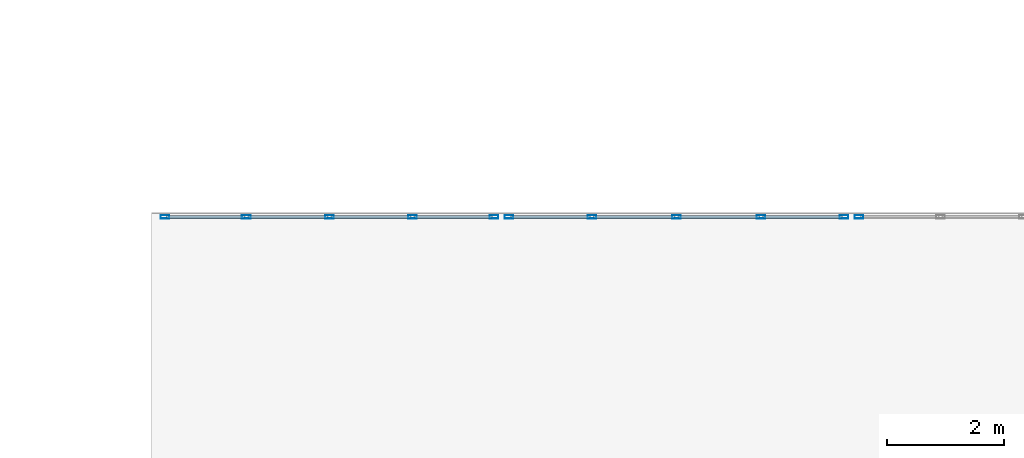
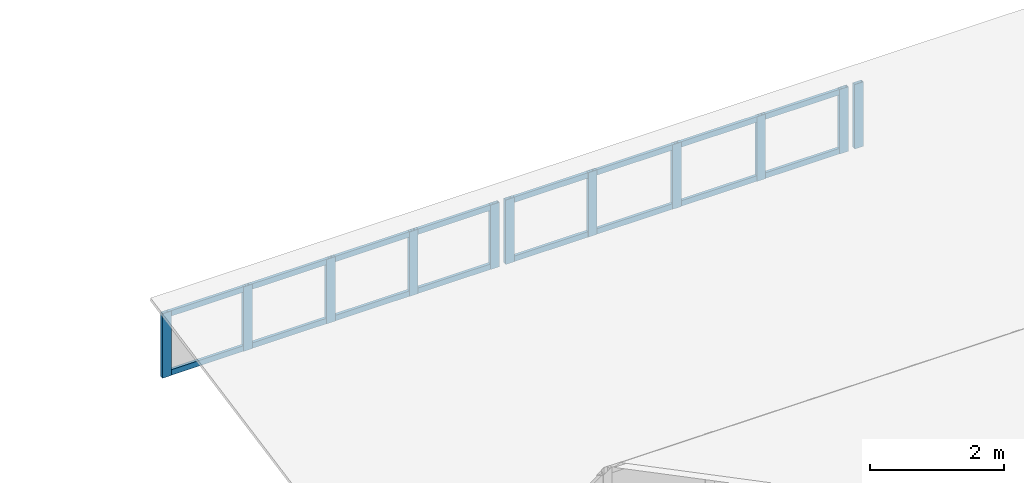
# One storey, part 44 of 101: 27 members, 3 elements without a shape of their own.
"""IFC4 building model written with IfcOpenShell, lengths in metres."""

from ifc_helpers import new_model, si_unit, direction, frame, origin, origin_2d, place, context, subcontext, project, spatial, hollow_rectangle, extrude, material, material_profile, profile_set, type_object, element, aggregate, save


model = new_model("IFC4")

# Units and contexts
model_context = context("Model", 3, precision=1e-05, world=origin(), true_north=direction((0.0, 1.0)))
body_context = subcontext(model_context, "Body", "Model", "MODEL_VIEW")
ifc_project = project(units=[si_unit("LENGTHUNIT", "METRE"), si_unit("AREAUNIT", "SQUARE_METRE"), si_unit("VOLUMEUNIT", "CUBIC_METRE"), si_unit("PLANEANGLEUNIT", "RADIAN"), si_unit("MASSUNIT", "GRAM", prefix="KILO")], contexts=[model_context])

# Site, building, storey
site_placement = place(None, origin())
site = spatial("IfcSite", under=ifc_project, at=site_placement, CompositionType="ELEMENT")
building_placement = place(site_placement, origin())
building = spatial("IfcBuilding", under=site, at=building_placement, Name="Laocheng Heights Fire and Rescue Headquarters", CompositionType="ELEMENT")
storey_placement = place(building_placement, frame((0.0, 0.0, 8.39990234375)))
storey = spatial("IfcBuildingStorey", under=building, at=storey_placement, Name="L02", CompositionType="ELEMENT", Elevation=8.39990234375)

# Curtain wall, members
ifc_material_1 = material(Name="Aluminium unitised curtain wall, low-e double glazing", Category="aluminium")
curtain_wall_type_1 = type_object("IfcCurtainWallType", Name="CW 5700 x 1173 WORKSHOP UNIT", PredefinedType="NOTDEFINED", material=ifc_material_1)
curtain_wall_1_placement = place(storey_placement, origin())
curtain_wall_1 = element("IfcCurtainWall", 1, at=curtain_wall_1_placement, inside=storey, type_object=curtain_wall_type_1, Name="Sawtooth glazing tooth 3", PredefinedType="NOTDEFINED")
ifc_material_2 = material(Name="Aluminium 6063-T5 extrusion", Category="aluminium")
ifc_material_profile_1 = material_profile(ifc_material_2, hollow_rectangle(XDim=0.06005859375, YDim=0.14990234375, WallThickness=0.0029296875, at=origin_2d()), Name="AL MULLION 150x60x3")
ifc_profile_set_1 = profile_set([ifc_material_profile_1], Name="Aluminium 6063-T5 extrusion")
member_type_1 = type_object("IfcMemberType", Name="AL CURTAIN WALL MULLION 150x60x3 SAWTOOTH", PredefinedType="MULLION", material=ifc_profile_set_1)
member_1_placement = place(storey_placement, frame((108.22998046875, 21.5400390625, 0.0), z_axis=(0.0, 0.0, 1.0), x_axis=(0.0, 1.0, 0.0)))
member_1 = element("IfcMember", 2, at=member_1_placement, type_object=member_type_1, Name="X2-O mullion 1", PredefinedType="MULLION", context=body_context, shape_type="SweptSolid", body=[
    extrude(hollow_rectangle(XDim=0.06005859375, YDim=0.14990234375, WallThickness=0.0029296875, at=origin_2d()), origin(), (0.0, 0.0, 1.0), 1.173095703125),
])
member_2_placement = place(storey_placement, frame((109.625, 21.5400390625, 0.0), z_axis=(0.0, 0.0, 1.0), x_axis=(0.0, 1.0, 0.0)))
member_2 = element("IfcMember", 3, at=member_2_placement, type_object=member_type_1, Name="X2-O mullion 2", PredefinedType="MULLION", context=body_context, shape_type="SweptSolid", body=[
    extrude(hollow_rectangle(XDim=0.06005859375, YDim=0.14990234375, WallThickness=0.0029296875, at=origin_2d()), origin(), (0.0, 0.0, 1.0), 1.173095703125),
])
member_3_placement = place(storey_placement, frame((111.050048828125, 21.5400390625, 0.0), z_axis=(0.0, 0.0, 1.0), x_axis=(0.0, 1.0, 0.0)))
member_3 = element("IfcMember", 4, at=member_3_placement, type_object=member_type_1, Name="X2-O mullion 3", PredefinedType="MULLION", context=body_context, shape_type="SweptSolid", body=[
    extrude(hollow_rectangle(XDim=0.06005859375, YDim=0.14990234375, WallThickness=0.0029296875, at=origin_2d()), origin(), (0.0, 0.0, 1.0), 1.173095703125),
])
member_4_placement = place(storey_placement, frame((112.47509765625, 21.5400390625, 0.0), z_axis=(0.0, 0.0, 1.0), x_axis=(0.0, 1.0, 0.0)))
member_4 = element("IfcMember", 5, at=member_4_placement, type_object=member_type_1, Name="X2-O mullion 4", PredefinedType="MULLION", context=body_context, shape_type="SweptSolid", body=[
    extrude(hollow_rectangle(XDim=0.06005859375, YDim=0.14990234375, WallThickness=0.0029296875, at=origin_2d()), origin(), (0.0, 0.0, 1.0), 1.173095703125),
])
member_5_placement = place(storey_placement, frame((113.8701171875, 21.5400390625, 0.0), z_axis=(0.0, 0.0, 1.0), x_axis=(0.0, 1.0, 0.0)))
member_5 = element("IfcMember", 6, at=member_5_placement, type_object=member_type_1, Name="X2-O mullion 5", PredefinedType="MULLION", context=body_context, shape_type="SweptSolid", body=[
    extrude(hollow_rectangle(XDim=0.06005859375, YDim=0.14990234375, WallThickness=0.0029296875, at=origin_2d()), origin(), (0.0, 0.0, 1.0), 1.173095703125),
])

ifc_material_3 = material(Name="Aluminium unitised curtain wall, low-e double glazing", Category="aluminium")
curtain_wall_type_2 = type_object("IfcCurtainWallType", Name="CW 5800 x 1173 WORKSHOP UNIT", PredefinedType="NOTDEFINED", material=ifc_material_3)
curtain_wall_2_placement = place(storey_placement, origin())
curtain_wall_2 = element("IfcCurtainWall", 7, at=curtain_wall_2_placement, inside=storey, type_object=curtain_wall_type_2, Name="Sawtooth glazing tooth 3", PredefinedType="NOTDEFINED")
member_6_placement = place(storey_placement, frame((114.1298828125, 21.5400390625, 0.0), z_axis=(0.0, 0.0, 1.0), x_axis=(0.0, 1.0, 0.0)))
member_6 = element("IfcMember", 8, at=member_6_placement, type_object=member_type_1, Name="X3-O mullion 1", PredefinedType="MULLION", context=body_context, shape_type="SweptSolid", body=[
    extrude(hollow_rectangle(XDim=0.06005859375, YDim=0.14990234375, WallThickness=0.0029296875, at=origin_2d()), origin(), (0.0, 0.0, 1.0), 1.173095703125),
])
member_7_placement = place(storey_placement, frame((115.550048828125, 21.5400390625, 0.0), z_axis=(0.0, 0.0, 1.0), x_axis=(0.0, 1.0, 0.0)))
member_7 = element("IfcMember", 9, at=member_7_placement, type_object=member_type_1, Name="X3-O mullion 2", PredefinedType="MULLION", context=body_context, shape_type="SweptSolid", body=[
    extrude(hollow_rectangle(XDim=0.06005859375, YDim=0.14990234375, WallThickness=0.0029296875, at=origin_2d()), origin(), (0.0, 0.0, 1.0), 1.173095703125),
])
member_8_placement = place(storey_placement, frame((117.0, 21.5400390625, 0.0), z_axis=(0.0, 0.0, 1.0), x_axis=(0.0, 1.0, 0.0)))
member_8 = element("IfcMember", 10, at=member_8_placement, type_object=member_type_1, Name="X3-O mullion 3", PredefinedType="MULLION", context=body_context, shape_type="SweptSolid", body=[
    extrude(hollow_rectangle(XDim=0.06005859375, YDim=0.14990234375, WallThickness=0.0029296875, at=origin_2d()), origin(), (0.0, 0.0, 1.0), 1.173095703125),
])
member_9_placement = place(storey_placement, frame((118.449951171875, 21.5400390625, 0.0), z_axis=(0.0, 0.0, 1.0), x_axis=(0.0, 1.0, 0.0)))
member_9 = element("IfcMember", 11, at=member_9_placement, type_object=member_type_1, Name="X3-O mullion 4", PredefinedType="MULLION", context=body_context, shape_type="SweptSolid", body=[
    extrude(hollow_rectangle(XDim=0.06005859375, YDim=0.14990234375, WallThickness=0.0029296875, at=origin_2d()), origin(), (0.0, 0.0, 1.0), 1.173095703125),
])
member_10_placement = place(storey_placement, frame((119.8701171875, 21.5400390625, 0.0), z_axis=(0.0, 0.0, 1.0), x_axis=(0.0, 1.0, 0.0)))
member_10 = element("IfcMember", 12, at=member_10_placement, type_object=member_type_1, Name="X3-O mullion 5", PredefinedType="MULLION", context=body_context, shape_type="SweptSolid", body=[
    extrude(hollow_rectangle(XDim=0.06005859375, YDim=0.14990234375, WallThickness=0.0029296875, at=origin_2d()), origin(), (0.0, 0.0, 1.0), 1.173095703125),
])

# Curtain wall, member
curtain_wall_3_placement = place(storey_placement, origin())
curtain_wall_3 = element("IfcCurtainWall", 13, at=curtain_wall_3_placement, inside=storey, type_object=curtain_wall_type_1, Name="Sawtooth glazing tooth 3", PredefinedType="NOTDEFINED")
member_11_placement = place(storey_placement, frame((120.1298828125, 21.5400390625, 0.0), z_axis=(0.0, 0.0, 1.0), x_axis=(0.0, 1.0, 0.0)))
member_11 = element("IfcMember", 14, at=member_11_placement, type_object=member_type_1, Name="X2-O mullion 1", PredefinedType="MULLION", context=body_context, shape_type="SweptSolid", body=[
    extrude(hollow_rectangle(XDim=0.06005859375, YDim=0.14990234375, WallThickness=0.0029296875, at=origin_2d()), origin(), (0.0, 0.0, 1.0), 1.173095703125),
])
aggregate(curtain_wall_3, [member_11])

# Member
ifc_material_4 = material(Name="Aluminium 6063-T5 extrusion", Category="aluminium")
ifc_material_profile_2 = material_profile(ifc_material_4, hollow_rectangle(XDim=0.050048828125, YDim=0.10009765625, WallThickness=0.0029296875, at=origin_2d()), Name="AL TRANSOM 100x50x3")
ifc_profile_set_2 = profile_set([ifc_material_profile_2], Name="Aluminium 6063-T5 extrusion")
member_type_2 = type_object("IfcMemberType", Name="AL CURTAIN WALL TRANSOM 100x50x3 SAWTOOTH", PredefinedType="USERDEFINED", material=ifc_profile_set_2)
member_12_placement = place(storey_placement, frame((108.260009765625, 21.5400390625, 0.050048828125), z_axis=(1.0, 0.0, 0.0), x_axis=(0.0, 1.0, 0.0)))
member_12 = element("IfcMember", 15, at=member_12_placement, type_object=member_type_2, Name="X2-O transom 1.1", ObjectType="TRANSOM", PredefinedType="USERDEFINED", context=body_context, shape_type="SweptSolid", body=[
    extrude(hollow_rectangle(XDim=0.050048828125, YDim=0.10009765625, WallThickness=0.0029296875, at=origin_2d()), origin(), (0.0, 0.0, 1.0), 1.3349609375),
])

member_13_placement = place(storey_placement, frame((108.260009765625, 21.5400390625, 1.123046875), z_axis=(1.0, 0.0, 0.0), x_axis=(0.0, 1.0, 0.0)))
member_13 = element("IfcMember", 16, at=member_13_placement, type_object=member_type_2, Name="X2-O transom 1.2", ObjectType="TRANSOM", PredefinedType="USERDEFINED", context=body_context, shape_type="SweptSolid", body=[
    extrude(hollow_rectangle(XDim=0.050048828125, YDim=0.10009765625, WallThickness=0.0029296875, at=origin_2d()), origin(), (0.0, 0.0, 1.0), 1.3349609375),
])

member_14_placement = place(storey_placement, frame((109.655029296875, 21.5400390625, 0.050048828125), z_axis=(1.0, 0.0, 0.0), x_axis=(0.0, 1.0, 0.0)))
member_14 = element("IfcMember", 17, at=member_14_placement, type_object=member_type_2, Name="X2-O transom 2.1", ObjectType="TRANSOM", PredefinedType="USERDEFINED", context=body_context, shape_type="SweptSolid", body=[
    extrude(hollow_rectangle(XDim=0.050048828125, YDim=0.10009765625, WallThickness=0.0029296875, at=origin_2d()), origin(), (0.0, 0.0, 1.0), 1.364990234375),
])

member_15_placement = place(storey_placement, frame((109.655029296875, 21.5400390625, 1.123046875), z_axis=(1.0, 0.0, 0.0), x_axis=(0.0, 1.0, 0.0)))
member_15 = element("IfcMember", 18, at=member_15_placement, type_object=member_type_2, Name="X2-O transom 2.2", ObjectType="TRANSOM", PredefinedType="USERDEFINED", context=body_context, shape_type="SweptSolid", body=[
    extrude(hollow_rectangle(XDim=0.050048828125, YDim=0.10009765625, WallThickness=0.0029296875, at=origin_2d()), origin(), (0.0, 0.0, 1.0), 1.364990234375),
])

member_16_placement = place(storey_placement, frame((111.080078125, 21.5400390625, 0.050048828125), z_axis=(1.0, 0.0, 0.0), x_axis=(0.0, 1.0, 0.0)))
member_16 = element("IfcMember", 19, at=member_16_placement, type_object=member_type_2, Name="X2-O transom 3.1", ObjectType="TRANSOM", PredefinedType="USERDEFINED", context=body_context, shape_type="SweptSolid", body=[
    extrude(hollow_rectangle(XDim=0.050048828125, YDim=0.10009765625, WallThickness=0.0029296875, at=origin_2d()), origin(), (0.0, 0.0, 1.0), 1.364990234375),
])

member_17_placement = place(storey_placement, frame((111.080078125, 21.5400390625, 1.123046875), z_axis=(1.0, 0.0, 0.0), x_axis=(0.0, 1.0, 0.0)))
member_17 = element("IfcMember", 20, at=member_17_placement, type_object=member_type_2, Name="X2-O transom 3.2", ObjectType="TRANSOM", PredefinedType="USERDEFINED", context=body_context, shape_type="SweptSolid", body=[
    extrude(hollow_rectangle(XDim=0.050048828125, YDim=0.10009765625, WallThickness=0.0029296875, at=origin_2d()), origin(), (0.0, 0.0, 1.0), 1.364990234375),
])

member_18_placement = place(storey_placement, frame((112.5048828125, 21.5400390625, 0.050048828125), z_axis=(1.0, 0.0, 0.0), x_axis=(0.0, 1.0, 0.0)))
member_18 = element("IfcMember", 21, at=member_18_placement, type_object=member_type_2, Name="X2-O transom 4.1", ObjectType="TRANSOM", PredefinedType="USERDEFINED", context=body_context, shape_type="SweptSolid", body=[
    extrude(hollow_rectangle(XDim=0.050048828125, YDim=0.10009765625, WallThickness=0.0029296875, at=origin_2d()), origin(), (0.0, 0.0, 1.0), 1.335205078125),
])

member_19_placement = place(storey_placement, frame((112.5048828125, 21.5400390625, 1.123046875), z_axis=(1.0, 0.0, 0.0), x_axis=(0.0, 1.0, 0.0)))
member_19 = element("IfcMember", 22, at=member_19_placement, type_object=member_type_2, Name="X2-O transom 4.2", ObjectType="TRANSOM", PredefinedType="USERDEFINED", context=body_context, shape_type="SweptSolid", body=[
    extrude(hollow_rectangle(XDim=0.050048828125, YDim=0.10009765625, WallThickness=0.0029296875, at=origin_2d()), origin(), (0.0, 0.0, 1.0), 1.335205078125),
])

aggregate(curtain_wall_1, [member_1, member_2, member_3, member_4, member_5, member_12, member_13, member_14, member_15, member_16, member_17, member_18, member_19])

member_20_placement = place(storey_placement, frame((114.159912109375, 21.5400390625, 0.050048828125), z_axis=(1.0, 0.0, 0.0), x_axis=(0.0, 1.0, 0.0)))
member_20 = element("IfcMember", 23, at=member_20_placement, type_object=member_type_2, Name="X3-O transom 1.1", ObjectType="TRANSOM", PredefinedType="USERDEFINED", context=body_context, shape_type="SweptSolid", body=[
    extrude(hollow_rectangle(XDim=0.050048828125, YDim=0.10009765625, WallThickness=0.0029296875, at=origin_2d()), origin(), (0.0, 0.0, 1.0), 1.360107421875),
])

member_21_placement = place(storey_placement, frame((114.159912109375, 21.5400390625, 1.123046875), z_axis=(1.0, 0.0, 0.0), x_axis=(0.0, 1.0, 0.0)))
member_21 = element("IfcMember", 24, at=member_21_placement, type_object=member_type_2, Name="X3-O transom 1.2", ObjectType="TRANSOM", PredefinedType="USERDEFINED", context=body_context, shape_type="SweptSolid", body=[
    extrude(hollow_rectangle(XDim=0.050048828125, YDim=0.10009765625, WallThickness=0.0029296875, at=origin_2d()), origin(), (0.0, 0.0, 1.0), 1.360107421875),
])

member_22_placement = place(storey_placement, frame((115.580078125, 21.5400390625, 0.050048828125), z_axis=(1.0, 0.0, 0.0), x_axis=(0.0, 1.0, 0.0)))
member_22 = element("IfcMember", 25, at=member_22_placement, type_object=member_type_2, Name="X3-O transom 2.1", ObjectType="TRANSOM", PredefinedType="USERDEFINED", context=body_context, shape_type="SweptSolid", body=[
    extrude(hollow_rectangle(XDim=0.050048828125, YDim=0.10009765625, WallThickness=0.0029296875, at=origin_2d()), origin(), (0.0, 0.0, 1.0), 1.389892578125),
])

member_23_placement = place(storey_placement, frame((115.580078125, 21.5400390625, 1.123046875), z_axis=(1.0, 0.0, 0.0), x_axis=(0.0, 1.0, 0.0)))
member_23 = element("IfcMember", 26, at=member_23_placement, type_object=member_type_2, Name="X3-O transom 2.2", ObjectType="TRANSOM", PredefinedType="USERDEFINED", context=body_context, shape_type="SweptSolid", body=[
    extrude(hollow_rectangle(XDim=0.050048828125, YDim=0.10009765625, WallThickness=0.0029296875, at=origin_2d()), origin(), (0.0, 0.0, 1.0), 1.389892578125),
])

member_24_placement = place(storey_placement, frame((117.030029296875, 21.5400390625, 0.050048828125), z_axis=(1.0, 0.0, 0.0), x_axis=(0.0, 1.0, 0.0)))
member_24 = element("IfcMember", 27, at=member_24_placement, type_object=member_type_2, Name="X3-O transom 3.1", ObjectType="TRANSOM", PredefinedType="USERDEFINED", context=body_context, shape_type="SweptSolid", body=[
    extrude(hollow_rectangle(XDim=0.050048828125, YDim=0.10009765625, WallThickness=0.0029296875, at=origin_2d()), origin(), (0.0, 0.0, 1.0), 1.389892578125),
])

member_25_placement = place(storey_placement, frame((117.030029296875, 21.5400390625, 1.123046875), z_axis=(1.0, 0.0, 0.0), x_axis=(0.0, 1.0, 0.0)))
member_25 = element("IfcMember", 28, at=member_25_placement, type_object=member_type_2, Name="X3-O transom 3.2", ObjectType="TRANSOM", PredefinedType="USERDEFINED", context=body_context, shape_type="SweptSolid", body=[
    extrude(hollow_rectangle(XDim=0.050048828125, YDim=0.10009765625, WallThickness=0.0029296875, at=origin_2d()), origin(), (0.0, 0.0, 1.0), 1.389892578125),
])

member_26_placement = place(storey_placement, frame((118.47998046875, 21.5400390625, 0.050048828125), z_axis=(1.0, 0.0, 0.0), x_axis=(0.0, 1.0, 0.0)))
member_26 = element("IfcMember", 29, at=member_26_placement, type_object=member_type_2, Name="X3-O transom 4.1", ObjectType="TRANSOM", PredefinedType="USERDEFINED", context=body_context, shape_type="SweptSolid", body=[
    extrude(hollow_rectangle(XDim=0.050048828125, YDim=0.10009765625, WallThickness=0.0029296875, at=origin_2d()), origin(), (0.0, 0.0, 1.0), 1.360107421875),
])

member_27_placement = place(storey_placement, frame((118.47998046875, 21.5400390625, 1.123046875), z_axis=(1.0, 0.0, 0.0), x_axis=(0.0, 1.0, 0.0)))
member_27 = element("IfcMember", 30, at=member_27_placement, type_object=member_type_2, Name="X3-O transom 4.2", ObjectType="TRANSOM", PredefinedType="USERDEFINED", context=body_context, shape_type="SweptSolid", body=[
    extrude(hollow_rectangle(XDim=0.050048828125, YDim=0.10009765625, WallThickness=0.0029296875, at=origin_2d()), origin(), (0.0, 0.0, 1.0), 1.360107421875),
])

aggregate(curtain_wall_2, [member_6, member_7, member_8, member_9, member_10, member_20, member_21, member_22, member_23, member_24, member_25, member_26, member_27])

save(model, "model.ifc")
